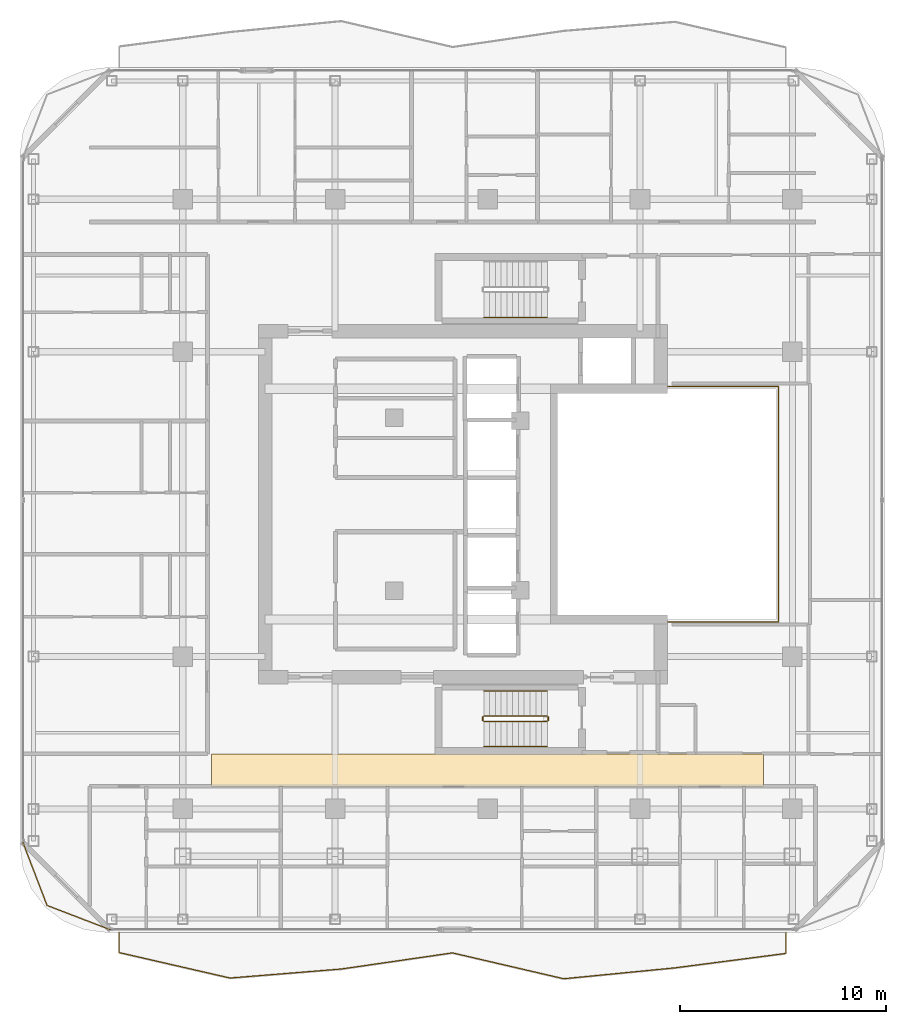
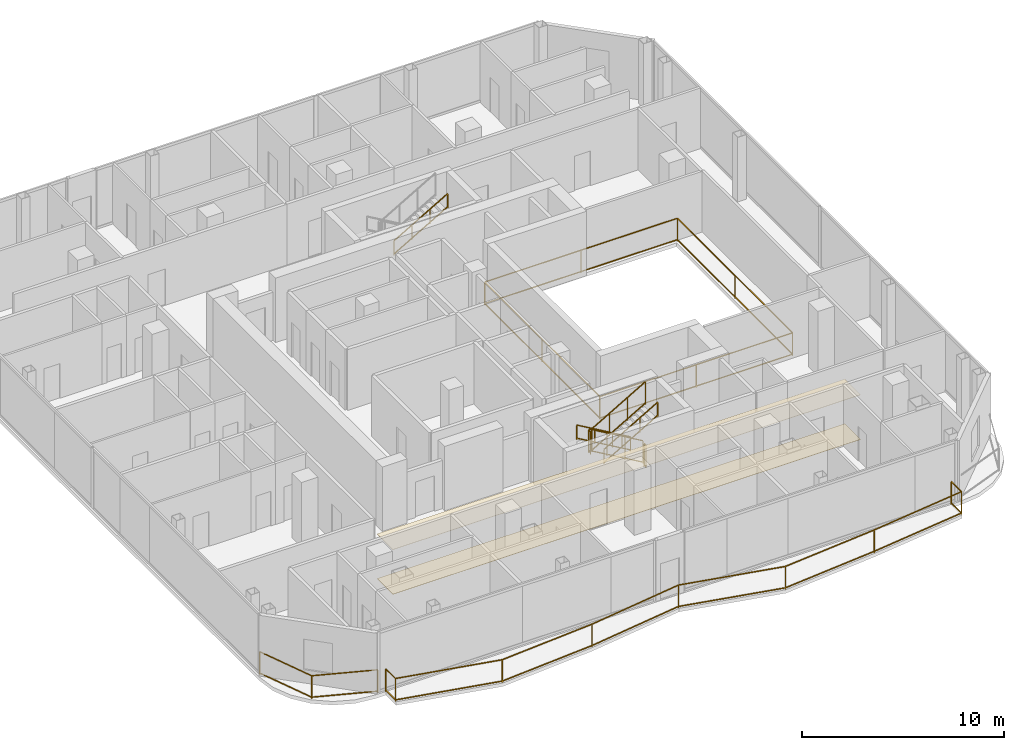
# One storey, part 21 of 23: 10 railings, 2 coverings.
"""IFC4 building model written with IfcOpenShell, lengths in metres."""

from ifc_helpers import new_model, si_unit, direction, frame, origin, origin_2d, place, context, subcontext, project, spatial, polyline, rectangle, outline, extrude, material, layer, layer_set, type_object, element, save


model = new_model("IFC4")

# Units and contexts
model_context = context("Model", 3, precision=1e-05, world=origin(), true_north=direction((0.0, 1.0)))
body_context = subcontext(model_context, "Body", "Model", "MODEL_VIEW")
ifc_project = project(units=[si_unit("LENGTHUNIT", "METRE"), si_unit("AREAUNIT", "SQUARE_METRE"), si_unit("VOLUMEUNIT", "CUBIC_METRE"), si_unit("PLANEANGLEUNIT", "RADIAN"), si_unit("MASSUNIT", "GRAM", prefix="KILO")], contexts=[model_context])

# Site, building, storey
site_placement = place(None, origin())
site = spatial("IfcSite", under=ifc_project, at=site_placement, CompositionType="ELEMENT")
building_placement = place(site_placement, origin())
building = spatial("IfcBuilding", under=site, at=building_placement, Name="Khorvyn Point Tower", CompositionType="ELEMENT")
storey_placement = place(building_placement, frame((0.0, 0.0, 293.699951171875)))
storey = spatial("IfcBuildingStorey", under=building, at=storey_placement, Name="L72", CompositionType="ELEMENT", Elevation=293.699951171875)

# Railings
ifc_material_1 = material(Name="Stainless steel 1.4401 and laminated glass", Category="steel")
railing_type_1 = type_object("IfcRailingType", Name="Crystal Atrium Smoke-Rated Perimeter Guardrail 1400", PredefinedType="GUARDRAIL", material=ifc_material_1)
railing_1_placement = place(storey_placement, frame((3.080078125, -5.719970703125, 0.0)))
element("IfcRailing", 1, at=railing_1_placement, inside=storey, type_object=railing_type_1, Name="L72 Crystal Atrium Perimeter Guardrail", PredefinedType="GUARDRAIL", context=body_context, shape_type="SweptSolid", body=[
    extrude(rectangle(XDim=0.048095703125, YDim=0.048095703125, at=origin_2d()), frame((0.0, 0.0, 1.3759765625), z_axis=(1.0, 0.0, 0.0), x_axis=(0.0, 1.0, 0.0)), (0.0, 0.0, 1.0), 11.0400390625),
    extrude(rectangle(XDim=0.048095703125, YDim=0.048095703125, at=origin_2d()), frame((0.0, 0.0, 0.080078125), z_axis=(1.0, 0.0, 0.0), x_axis=(0.0, 1.0, 0.0)), (0.0, 0.0, 1.0), 11.0400390625),
    extrude(rectangle(XDim=0.048095703125, YDim=0.048095703125, at=origin_2d()), frame((11.0400390625, 0.0, 1.3759765625), z_axis=(0.0, 1.0, 0.0), x_axis=(-1.0, 0.0, 0.0)), (0.0, 0.0, 1.0), 11.43994140625),
    extrude(rectangle(XDim=0.048095703125, YDim=0.048095703125, at=origin_2d()), frame((11.0400390625, 0.0, 0.080078125), z_axis=(0.0, 1.0, 0.0), x_axis=(-1.0, 0.0, 0.0)), (0.0, 0.0, 1.0), 11.43994140625),
    extrude(rectangle(XDim=0.048095703125, YDim=0.048095703125, at=origin_2d()), frame((11.0400390625, 11.43994140625, 1.3759765625), z_axis=(-1.0, 0.0, 0.0), x_axis=(0.0, -1.0, 0.0)), (0.0, 0.0, 1.0), 11.0400390625),
    extrude(rectangle(XDim=0.048095703125, YDim=0.048095703125, at=origin_2d()), frame((11.0400390625, 11.43994140625, 0.080078125), z_axis=(-1.0, 0.0, 0.0), x_axis=(0.0, -1.0, 0.0)), (0.0, 0.0, 1.0), 11.0400390625),
    extrude(rectangle(XDim=0.048095703125, YDim=0.048095703125, at=origin_2d()), frame((0.0, 11.43994140625, 1.3759765625), z_axis=(0.0, -1.0, 0.0), x_axis=(1.0, 0.0, 0.0)), (0.0, 0.0, 1.0), 11.409912109375),
    extrude(rectangle(XDim=0.048095703125, YDim=0.048095703125, at=origin_2d()), frame((0.0, 11.43994140625, 0.080078125), z_axis=(0.0, -1.0, 0.0), x_axis=(1.0, 0.0, 0.0)), (0.0, 0.0, 1.0), 11.409912109375),
    extrude(rectangle(XDim=0.0419921875, YDim=0.0419921875, at=origin_2d()), origin(), (0.0, 0.0, 1.0), 1.351806640625),
    extrude(rectangle(XDim=0.0419921875, YDim=0.0419921875, at=origin_2d()), frame((5.52001953125, 0.0, 0.0)), (0.0, 0.0, 1.0), 1.351806640625),
    extrude(rectangle(XDim=0.0419921875, YDim=0.0419921875, at=origin_2d()), frame((11.0400390625, 0.0, 0.0)), (0.0, 0.0, 1.0), 1.351806640625),
    extrude(rectangle(XDim=0.0419921875, YDim=0.0419921875, at=origin_2d()), frame((11.0400390625, 5.719970703125, 0.0)), (0.0, 0.0, 1.0), 1.351806640625),
    extrude(rectangle(XDim=0.0419921875, YDim=0.0419921875, at=origin_2d()), frame((11.0400390625, 11.43994140625, 0.0)), (0.0, 0.0, 1.0), 1.351806640625),
    extrude(rectangle(XDim=0.0419921875, YDim=0.0419921875, at=origin_2d()), frame((5.52001953125, 11.43994140625, 0.0)), (0.0, 0.0, 1.0), 1.351806640625),
    extrude(rectangle(XDim=0.0419921875, YDim=0.0419921875, at=origin_2d()), frame((0.0, 11.43994140625, 0.0)), (0.0, 0.0, 1.0), 1.351806640625),
    extrude(rectangle(XDim=0.0419921875, YDim=0.0419921875, at=origin_2d()), frame((0.0, 5.73486328125, 0.0)), (0.0, 0.0, 1.0), 1.351806640625),
    extrude(rectangle(XDim=0.0419921875, YDim=0.0419921875, at=origin_2d()), frame((0.0, 0.030029296875, 0.0)), (0.0, 0.0, 1.0), 1.351806640625),
])
ifc_material_2 = material(Name="Anodised aluminium 6063-T6 and laminated safety glass", Category="aluminium")
railing_type_2 = type_object("IfcRailingType", Name="Laminated Glass and Aluminium Balcony Guardrail 1400", PredefinedType="BALUSTRADE", material=ifc_material_2)
railing_2_placement = place(storey_placement, frame((-22.574462890625, -16.386474609375, 0.0)))
element("IfcRailing", 2, at=railing_2_placement, inside=storey, type_object=railing_type_2, Name="L72 Rounded Corner Edge Guardrail SW", PredefinedType="BALUSTRADE", context=body_context, shape_type="SweptSolid", body=[
    extrude(rectangle(XDim=0.048095703125, YDim=0.048095703125, at=origin_2d()), frame((0.0, 0.0, 1.3759765625), z_axis=(0.358367799998, -0.933580483903, 0.0), x_axis=(0.933580483903, 0.358367799998, 0.0)), (0.0, 0.0, 1.0), 3.319091796875),
    extrude(rectangle(XDim=0.048095703125, YDim=0.048095703125, at=origin_2d()), frame((0.0, 0.0, 0.080078125), z_axis=(0.358367799998, -0.933580483903, 0.0), x_axis=(0.933580483903, 0.358367799998, 0.0)), (0.0, 0.0, 1.0), 3.319091796875),
    extrude(rectangle(XDim=0.048095703125, YDim=0.048095703125, at=origin_2d()), frame((1.189453125, -3.0986328125, 1.3759765625), z_axis=(0.933595647299, -0.358328295484, 0.0), x_axis=(0.358328295484, 0.933595647299, 0.0)), (0.0, 0.0, 1.0), 3.31884765625),
    extrude(rectangle(XDim=0.048095703125, YDim=0.048095703125, at=origin_2d()), frame((1.189453125, -3.0986328125, 0.080078125), z_axis=(0.933595647299, -0.358328295484, 0.0), x_axis=(0.358328295484, 0.933595647299, 0.0)), (0.0, 0.0, 1.0), 3.31884765625),
    extrude(rectangle(XDim=0.0419921875, YDim=0.0419921875, at=origin_2d()), origin(), (0.0, 0.0, 1.0), 1.351806640625),
    extrude(rectangle(XDim=0.0419921875, YDim=0.0419921875, at=origin_2d()), frame((1.189453125, -3.0986328125, 0.0)), (0.0, 0.0, 1.0), 1.351806640625),
    extrude(rectangle(XDim=0.0419921875, YDim=0.0419921875, at=origin_2d()), frame((4.287841796875, -4.287841796875, 0.0)), (0.0, 0.0, 1.0), 1.351806640625),
])
railing_3_placement = place(storey_placement, frame((-17.89990234375, -20.800048828125, 0.0)))
element("IfcRailing", 3, at=railing_3_placement, inside=storey, type_object=railing_type_2, Name="L72 South Balcony Guardrail", PredefinedType="BALUSTRADE", context=body_context, shape_type="SweptSolid", body=[
    extrude(rectangle(XDim=0.048095703125, YDim=0.048095703125, at=origin_2d()), frame((0.0, 0.0, 1.3759765625), z_axis=(0.0, -1.0, 0.0), x_axis=(1.0, 0.0, 0.0)), (0.0, 0.0, 1.0), 0.968017578125),
    extrude(rectangle(XDim=0.048095703125, YDim=0.048095703125, at=origin_2d()), frame((0.0, 0.0, 0.080078125), z_axis=(0.0, -1.0, 0.0), x_axis=(1.0, 0.0, 0.0)), (0.0, 0.0, 1.0), 0.968017578125),
    extrude(rectangle(XDim=0.048095703125, YDim=0.048095703125, at=origin_2d()), frame((0.0, -0.968017578125, 1.3759765625), z_axis=(0.974604637949, -0.223932578445, 0.0), x_axis=(0.223932578445, 0.974604637949, 0.0)), (0.0, 0.0, 1.0), 5.54052734375),
    extrude(rectangle(XDim=0.048095703125, YDim=0.048095703125, at=origin_2d()), frame((0.0, -0.968017578125, 0.080078125), z_axis=(0.974604637949, -0.223932578445, 0.0), x_axis=(0.223932578445, 0.974604637949, 0.0)), (0.0, 0.0, 1.0), 5.54052734375),
    extrude(rectangle(XDim=0.048095703125, YDim=0.048095703125, at=origin_2d()), frame((5.39990234375, -2.208740234375, 1.3759765625), z_axis=(0.996726693111, 0.080844908556, 0.0), x_axis=(-0.080844908556, 0.996726693111, 0.0)), (0.0, 0.0, 1.0), 5.417724609375),
    extrude(rectangle(XDim=0.048095703125, YDim=0.048095703125, at=origin_2d()), frame((5.39990234375, -2.208740234375, 0.080078125), z_axis=(0.996726693111, 0.080844908556, 0.0), x_axis=(-0.080844908556, 0.996726693111, 0.0)), (0.0, 0.0, 1.0), 5.417724609375),
    extrude(rectangle(XDim=0.048095703125, YDim=0.048095703125, at=origin_2d()), frame((10.7998046875, -1.770751953125, 1.3759765625), z_axis=(0.98964568276, 0.143531956702, 0.0), x_axis=(-0.143531956702, 0.98964568276, 0.0)), (0.0, 0.0, 1.0), 5.45654296875),
    extrude(rectangle(XDim=0.048095703125, YDim=0.048095703125, at=origin_2d()), frame((10.7998046875, -1.770751953125, 0.080078125), z_axis=(0.98964568276, 0.143531956702, 0.0), x_axis=(-0.143531956702, 0.98964568276, 0.0)), (0.0, 0.0, 1.0), 5.45654296875),
    extrude(rectangle(XDim=0.048095703125, YDim=0.048095703125, at=origin_2d()), frame((16.199951171875, -0.987548828125, 1.3759765625), z_axis=(0.973985880172, -0.226608705098, 0.0), x_axis=(0.226608705098, 0.973985880172, 0.0)), (0.0, 0.0, 1.0), 5.544189453125),
    extrude(rectangle(XDim=0.048095703125, YDim=0.048095703125, at=origin_2d()), frame((16.199951171875, -0.987548828125, 0.080078125), z_axis=(0.973985880172, -0.226608705098, 0.0), x_axis=(0.226608705098, 0.973985880172, 0.0)), (0.0, 0.0, 1.0), 5.544189453125),
    extrude(rectangle(XDim=0.048095703125, YDim=0.048095703125, at=origin_2d()), frame((21.599853515625, -2.243896484375, 1.3759765625), z_axis=(0.995226468805, 0.097592396168, 0.0), x_axis=(-0.097592396168, 0.995226468805, 0.0)), (0.0, 0.0, 1.0), 5.426025390625),
    extrude(rectangle(XDim=0.048095703125, YDim=0.048095703125, at=origin_2d()), frame((21.599853515625, -2.243896484375, 0.080078125), z_axis=(0.995226468805, 0.097592396168, 0.0), x_axis=(-0.097592396168, 0.995226468805, 0.0)), (0.0, 0.0, 1.0), 5.426025390625),
    extrude(rectangle(XDim=0.048095703125, YDim=0.048095703125, at=origin_2d()), frame((27.0, -1.71435546875, 1.3759765625), z_axis=(0.991634626797, 0.129076593297, 0.0), x_axis=(-0.129076593297, 0.991634626797, 0.0)), (0.0, 0.0, 1.0), 5.445556640625),
    extrude(rectangle(XDim=0.048095703125, YDim=0.048095703125, at=origin_2d()), frame((27.0, -1.71435546875, 0.080078125), z_axis=(0.991634626797, 0.129076593297, 0.0), x_axis=(-0.129076593297, 0.991634626797, 0.0)), (0.0, 0.0, 1.0), 5.445556640625),
    extrude(rectangle(XDim=0.048095703125, YDim=0.048095703125, at=origin_2d()), frame((32.39990234375, -1.011474609375, 1.3759765625), z_axis=(0.0, 1.0, 0.0), x_axis=(-1.0, 0.0, 0.0)), (0.0, 0.0, 1.0), 1.011474609375),
    extrude(rectangle(XDim=0.048095703125, YDim=0.048095703125, at=origin_2d()), frame((32.39990234375, -1.011474609375, 0.080078125), z_axis=(0.0, 1.0, 0.0), x_axis=(-1.0, 0.0, 0.0)), (0.0, 0.0, 1.0), 1.011474609375),
    extrude(rectangle(XDim=0.0419921875, YDim=0.0419921875, at=origin_2d()), origin(), (0.0, 0.0, 1.0), 1.351806640625),
    extrude(rectangle(XDim=0.0419921875, YDim=0.0419921875, at=origin_2d()), frame((0.0, -0.968017578125, 0.0)), (0.0, 0.0, 1.0), 1.351806640625),
    extrude(rectangle(XDim=0.0419921875, YDim=0.0419921875, at=origin_2d()), frame((5.39990234375, -2.208740234375, 0.0)), (0.0, 0.0, 1.0), 1.351806640625),
    extrude(rectangle(XDim=0.0419921875, YDim=0.0419921875, at=origin_2d()), frame((10.7998046875, -1.770751953125, 0.0)), (0.0, 0.0, 1.0), 1.351806640625),
    extrude(rectangle(XDim=0.0419921875, YDim=0.0419921875, at=origin_2d()), frame((16.199951171875, -0.987548828125, 0.0)), (0.0, 0.0, 1.0), 1.351806640625),
    extrude(rectangle(XDim=0.0419921875, YDim=0.0419921875, at=origin_2d()), frame((21.599853515625, -2.243896484375, 0.0)), (0.0, 0.0, 1.0), 1.351806640625),
    extrude(rectangle(XDim=0.0419921875, YDim=0.0419921875, at=origin_2d()), frame((27.0, -1.71435546875, 0.0)), (0.0, 0.0, 1.0), 1.351806640625),
    extrude(rectangle(XDim=0.0419921875, YDim=0.0419921875, at=origin_2d()), frame((32.39990234375, -1.011474609375, 0.0)), (0.0, 0.0, 1.0), 1.351806640625),
    extrude(rectangle(XDim=0.0419921875, YDim=0.0419921875, at=origin_2d()), frame((32.39990234375, 0.0, 0.0)), (0.0, 0.0, 1.0), 1.351806640625),
])

# Coverings
ifc_material_3 = material(Name="Mineral-fibre acoustic ceiling board", Category="gypsum")
ifc_layer_1 = layer(ifc_material_3, 0.02001953125)
ifc_layer_set_1 = layer_set([ifc_layer_1], Name="Perforated Mineral-Fibre Acoustic Suspended Ceiling 20")
covering_type_1 = type_object("IfcCoveringType", Name="Perforated Mineral-Fibre Acoustic Suspended Ceiling 20", PredefinedType="CEILING", material=ifc_layer_set_1)
covering_1_placement = place(storey_placement, frame((0.0, 0.0, 2.699951171875)))
element("IfcCovering", 4, at=covering_1_placement, inside=storey, type_object=covering_type_1, Name="L72 South Corridor Acoustic Ceiling", PredefinedType="CEILING", context=body_context, shape_type="SweptSolid", body=[
    extrude(outline(polyline([(-13.39990234375, -13.7099609375), (13.39990234375, -13.7099609375), (13.39990234375, -12.139892578125), (-13.39990234375, -12.139892578125), (-13.39990234375, -13.7099609375)])), origin(), (0.0, 0.0, 1.0), 0.02001953125),
])
ifc_material_4 = material(Name="Vitrified porcelain terrazzo tile", Category="ceramic")
ifc_layer_2 = layer(ifc_material_4, 0.01806640625)
ifc_layer_set_2 = layer_set([ifc_layer_2], Name="Porcelain Terrazzo Corridor Floor Finish Tile 18")
covering_type_2 = type_object("IfcCoveringType", Name="Porcelain Terrazzo Corridor Floor Finish Tile 18", PredefinedType="FLOORING", material=ifc_layer_set_2)
covering_2_placement = place(storey_placement, origin())
element("IfcCovering", 5, at=covering_2_placement, inside=storey, type_object=covering_type_2, Name="L72 South Corridor Terrazzo Flooring", PredefinedType="FLOORING", context=body_context, shape_type="SweptSolid", body=[
    extrude(outline(polyline([(-13.39990234375, -13.7099609375), (13.39990234375, -13.7099609375), (13.39990234375, -12.139892578125), (-13.39990234375, -12.139892578125), (-13.39990234375, -13.7099609375)])), origin(), (0.0, 0.0, 1.0), 0.01806640625),
])

# Railings
ifc_material_5 = material(Name="Stainless steel 1.4301", Category="steel")
railing_type_3 = type_object("IfcRailingType", Name="Stainless Steel 304 Stair Pitch Handrail 900", PredefinedType="HANDRAIL", material=ifc_material_5)
railing_4_placement = place(storey_placement, frame((2.89990234375, -9.070068359375, 0.16259765625)))
element("IfcRailing", 6, at=railing_4_placement, inside=storey, type_object=railing_type_3, Name="L72 ST-01 stair handrail 1", PredefinedType="HANDRAIL", context=body_context, shape_type="SweptSolid", body=[
    extrude(rectangle(XDim=0.048095703125, YDim=0.048095703125, at=origin_2d()), frame((0.0, 0.0, 0.8759765625), z_axis=(-0.864903211148, 0.0, 0.501938676878), x_axis=(0.0, -1.0, 0.0)), (0.0, 0.0, 1.0), 3.560791015625),
    extrude(rectangle(XDim=0.048095703125, YDim=0.048095703125, at=origin_2d()), frame((0.0, 0.0, 0.080078125), z_axis=(-0.864903211148, 0.0, 0.501938676878), x_axis=(0.0, -1.0, 0.0)), (0.0, 0.0, 1.0), 3.560791015625),
    extrude(rectangle(XDim=0.0419921875, YDim=0.0419921875, at=origin_2d()), origin(), (0.0, 0.0, 1.0), 0.851806640625),
    extrude(rectangle(XDim=0.0419921875, YDim=0.0419921875, at=origin_2d()), frame((-1.026611328125, 0.0, 0.595703125)), (0.0, 0.0, 1.0), 0.851806640625),
    extrude(rectangle(XDim=0.0419921875, YDim=0.0419921875, at=origin_2d()), frame((-2.05322265625, 0.0, 1.191650390625)), (0.0, 0.0, 1.0), 0.851806640625),
    extrude(rectangle(XDim=0.0419921875, YDim=0.0419921875, at=origin_2d()), frame((-3.079833984375, 0.0, 1.787353515625)), (0.0, 0.0, 1.0), 0.851806640625),
])
for number, where, name in (
    (7, (-0.179931640625, -11.77001953125, 2.112548828125), "L72 ST-01 stair handrail 2"),
    (8, (-0.179931640625, 9.070068359375, 2.112548828125), "L72 ST-02 stair handrail 2"),
):
    element("IfcRailing", number, at=place(storey_placement, frame(where)), inside=storey, type_object=railing_type_3, Name=name, PredefinedType="HANDRAIL", context=body_context, shape_type="SweptSolid", body=[
        extrude(rectangle(XDim=0.048095703125, YDim=0.048095703125, at=origin_2d()), frame((0.0, 0.0, 0.8759765625), z_axis=(0.864873446163, 0.0, 0.501989962173), x_axis=(0.0, 1.0, 0.0)), (0.0, 0.0, 1.0), 3.56103515625),
        extrude(rectangle(XDim=0.048095703125, YDim=0.048095703125, at=origin_2d()), frame((0.0, 0.0, 0.080078125), z_axis=(0.864873446163, 0.0, 0.501989962173), x_axis=(0.0, 1.0, 0.0)), (0.0, 0.0, 1.0), 3.56103515625),
        extrude(rectangle(XDim=0.0419921875, YDim=0.0419921875, at=origin_2d()), origin(), (0.0, 0.0, 1.0), 0.851806640625),
        extrude(rectangle(XDim=0.0419921875, YDim=0.0419921875, at=origin_2d()), frame((1.026611328125, 0.0, 0.595947265625)), (0.0, 0.0, 1.0), 0.851806640625),
        extrude(rectangle(XDim=0.0419921875, YDim=0.0419921875, at=origin_2d()), frame((2.05322265625, 0.0, 1.191650390625)), (0.0, 0.0, 1.0), 0.851806640625),
        extrude(rectangle(XDim=0.0419921875, YDim=0.0419921875, at=origin_2d()), frame((3.079833984375, 0.0, 1.78759765625)), (0.0, 0.0, 1.0), 0.851806640625),
    ])
railing_type_4 = type_object("IfcRailingType", Name="Stainless Steel 304 Stair Well Guardrail 1400", PredefinedType="GUARDRAIL", material=ifc_material_5)
railing_5_placement = place(storey_placement, frame((2.89990234375, -10.2900390625, 0.16259765625)))
element("IfcRailing", 9, at=railing_5_placement, inside=storey, type_object=railing_type_4, Name="L72 ST-01 stair guard 1", PredefinedType="GUARDRAIL", context=body_context, shape_type="SweptSolid", body=[
    extrude(rectangle(XDim=0.048095703125, YDim=0.048095703125, at=origin_2d()), frame((0.0, 0.0, 1.3759765625), z_axis=(-0.864903211148, 0.0, 0.501938676878), x_axis=(0.0, -1.0, 0.0)), (0.0, 0.0, 1.0), 3.560791015625),
    extrude(rectangle(XDim=0.048095703125, YDim=0.048095703125, at=origin_2d()), frame((0.0, 0.0, 0.080078125), z_axis=(-0.864903211148, 0.0, 0.501938676878), x_axis=(0.0, -1.0, 0.0)), (0.0, 0.0, 1.0), 3.560791015625),
    extrude(rectangle(XDim=0.0419921875, YDim=0.0419921875, at=origin_2d()), origin(), (0.0, 0.0, 1.0), 1.351806640625),
    extrude(rectangle(XDim=0.0419921875, YDim=0.0419921875, at=origin_2d()), frame((-1.026611328125, 0.0, 0.595703125)), (0.0, 0.0, 1.0), 1.351806640625),
    extrude(rectangle(XDim=0.0419921875, YDim=0.0419921875, at=origin_2d()), frame((-2.05322265625, 0.0, 1.191650390625)), (0.0, 0.0, 1.0), 1.351806640625),
    extrude(rectangle(XDim=0.0419921875, YDim=0.0419921875, at=origin_2d()), frame((-3.079833984375, 0.0, 1.787353515625)), (0.0, 0.0, 1.0), 1.351806640625),
])
railing_6_placement = place(storey_placement, frame((-0.22998046875, -10.340087890625, 1.949951171875)))
element("IfcRailing", 10, at=railing_6_placement, inside=storey, type_object=railing_type_4, Name="L72 ST-01 stair guard 2", PredefinedType="GUARDRAIL", context=body_context, shape_type="SweptSolid", body=[
    extrude(rectangle(XDim=0.048095703125, YDim=0.048095703125, at=origin_2d()), frame((0.0, 0.0, 1.3759765625), z_axis=(0.0, -1.0, 0.0), x_axis=(1.0, 0.0, 0.0)), (0.0, 0.0, 1.0), 0.159912109375),
    extrude(rectangle(XDim=0.048095703125, YDim=0.048095703125, at=origin_2d()), frame((0.0, 0.0, 0.080078125), z_axis=(0.0, -1.0, 0.0), x_axis=(1.0, 0.0, 0.0)), (0.0, 0.0, 1.0), 0.159912109375),
    extrude(rectangle(XDim=0.0419921875, YDim=0.0419921875, at=origin_2d()), origin(), (0.0, 0.0, 1.0), 1.351806640625),
    extrude(rectangle(XDim=0.0419921875, YDim=0.0419921875, at=origin_2d()), frame((0.0, -0.159912109375, 0.0)), (0.0, 0.0, 1.0), 1.351806640625),
])
railing_7_placement = place(storey_placement, frame((-0.179931640625, -10.550048828125, 2.112548828125)))
element("IfcRailing", 11, at=railing_7_placement, inside=storey, type_object=railing_type_4, Name="L72 ST-01 stair guard 3", PredefinedType="GUARDRAIL", context=body_context, shape_type="SweptSolid", body=[
    extrude(rectangle(XDim=0.048095703125, YDim=0.048095703125, at=origin_2d()), frame((0.0, 0.0, 1.3759765625), z_axis=(0.864873446163, 0.0, 0.501989962173), x_axis=(0.0, 1.0, 0.0)), (0.0, 0.0, 1.0), 3.56103515625),
    extrude(rectangle(XDim=0.048095703125, YDim=0.048095703125, at=origin_2d()), frame((0.0, 0.0, 0.080078125), z_axis=(0.864873446163, 0.0, 0.501989962173), x_axis=(0.0, 1.0, 0.0)), (0.0, 0.0, 1.0), 3.56103515625),
    extrude(rectangle(XDim=0.0419921875, YDim=0.0419921875, at=origin_2d()), origin(), (0.0, 0.0, 1.0), 1.351806640625),
    extrude(rectangle(XDim=0.0419921875, YDim=0.0419921875, at=origin_2d()), frame((1.026611328125, 0.0, 0.595947265625)), (0.0, 0.0, 1.0), 1.351806640625),
    extrude(rectangle(XDim=0.0419921875, YDim=0.0419921875, at=origin_2d()), frame((2.05322265625, 0.0, 1.191650390625)), (0.0, 0.0, 1.0), 1.351806640625),
    extrude(rectangle(XDim=0.0419921875, YDim=0.0419921875, at=origin_2d()), frame((3.079833984375, 0.0, 1.78759765625)), (0.0, 0.0, 1.0), 1.351806640625),
])
railing_8_placement = place(storey_placement, frame((2.949951171875, -10.340087890625, 0.0)))
element("IfcRailing", 12, at=railing_8_placement, inside=storey, type_object=railing_type_4, Name="L72 ST-01 stair guard 4", PredefinedType="GUARDRAIL", context=body_context, shape_type="SweptSolid", body=[
    extrude(rectangle(XDim=0.048095703125, YDim=0.048095703125, at=origin_2d()), frame((0.0, 0.0, 1.3759765625), z_axis=(0.0, -1.0, 0.0), x_axis=(1.0, 0.0, 0.0)), (0.0, 0.0, 1.0), 0.159912109375),
    extrude(rectangle(XDim=0.048095703125, YDim=0.048095703125, at=origin_2d()), frame((0.0, 0.0, 0.080078125), z_axis=(0.0, -1.0, 0.0), x_axis=(1.0, 0.0, 0.0)), (0.0, 0.0, 1.0), 0.159912109375),
    extrude(rectangle(XDim=0.0419921875, YDim=0.0419921875, at=origin_2d()), origin(), (0.0, 0.0, 1.0), 1.351806640625),
    extrude(rectangle(XDim=0.0419921875, YDim=0.0419921875, at=origin_2d()), frame((0.0, -0.159912109375, 0.0)), (0.0, 0.0, 1.0), 1.351806640625),
])

save(model, "model.ifc")
